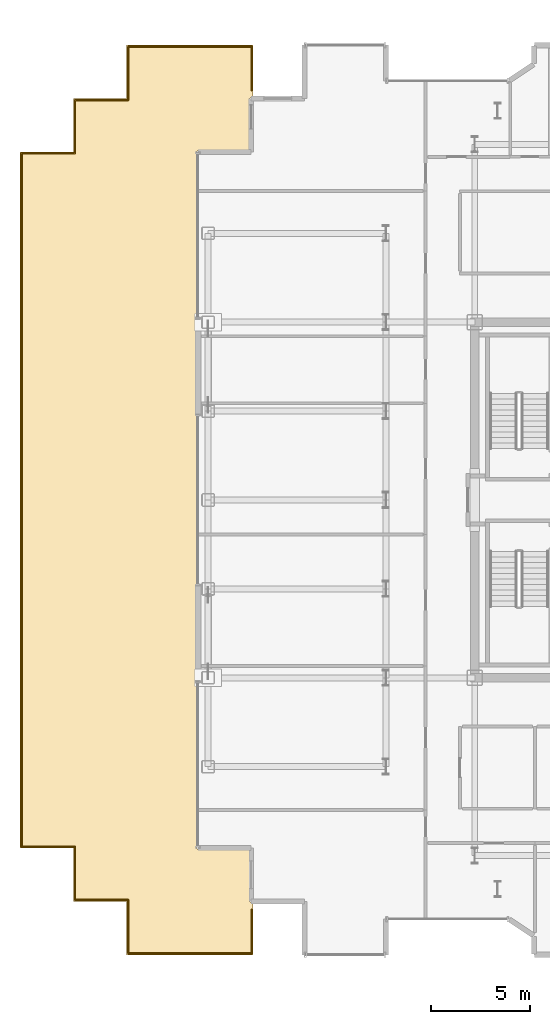
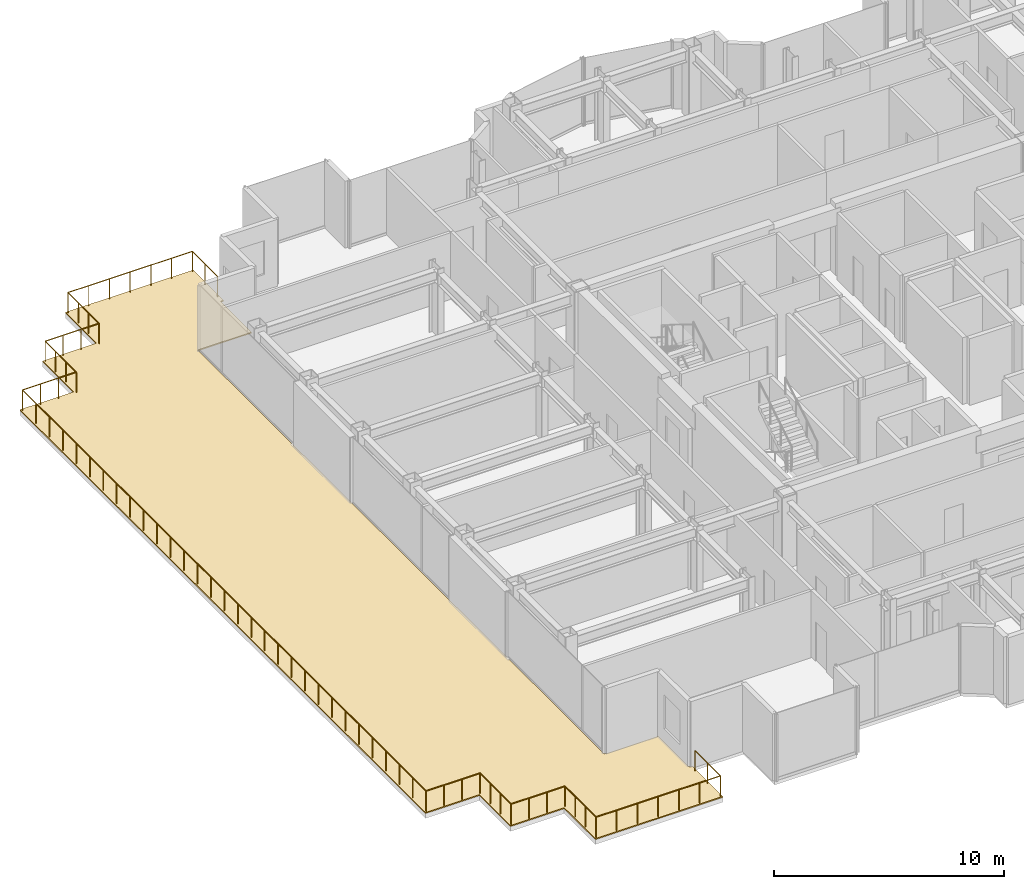
# One storey, part 20 of 21: 2 railings, 1 covering.
"""IFC4 building model written with IfcOpenShell, lengths in metres."""

from ifc_helpers import new_model, si_unit, direction, frame, origin, origin_2d, place, context, subcontext, project, spatial, polyline, circle, outline, extrude, material, layer, layer_set, type_object, element, save


model = new_model("IFC4")

# Units and contexts
model_context = context("Model", 3, precision=1e-05, world=origin(), true_north=direction((0.0, 1.0)))
body_context = subcontext(model_context, "Body", "Model", "MODEL_VIEW")
ifc_project = project(units=[si_unit("LENGTHUNIT", "METRE"), si_unit("AREAUNIT", "SQUARE_METRE"), si_unit("VOLUMEUNIT", "CUBIC_METRE"), si_unit("PLANEANGLEUNIT", "RADIAN"), si_unit("MASSUNIT", "GRAM", prefix="KILO")], contexts=[model_context])

# Site, building, storey
site_placement = place(None, origin())
site = spatial("IfcSite", under=ifc_project, at=site_placement, CompositionType="ELEMENT")
building_placement = place(site_placement, origin())
building = spatial("IfcBuilding", under=site, at=building_placement, Name="Nefas-Gora Pilgrimage Tower", CompositionType="ELEMENT")
storey_placement = place(building_placement, frame((0.0, 0.0, 206.60009765625)))
storey = spatial("IfcBuildingStorey", under=building, at=storey_placement, Name="L51", CompositionType="ELEMENT", Elevation=206.60009765625)

# Covering
ifc_material_1 = material(Name="Elastomeric waterproof insulated roof membrane")
ifc_layer = layer(ifc_material_1, 0.06005859375)
ifc_layer_set = layer_set([ifc_layer], Name="Elastomeric waterproof insulated roof membrane")
covering_type = type_object("IfcCoveringType", Name="COV-ROOF-MEMB", PredefinedType="ROOFING", material=ifc_layer_set)
covering_placement = place(storey_placement, origin())
element("IfcCovering", 1, at=covering_placement, inside=storey, type_object=covering_type, Name="L51 Setback Terrace Waterproofing Membrane 1", PredefinedType="ROOFING", context=body_context, shape_type="SweptSolid", body=[
    extrude(outline(polyline([(-28.8701171875, -23.02001953125), (-22.469970703125, -23.02001953125), (-22.469970703125, -20.3701171875), (-22.570068359375, -20.3701171875), (-22.574951171875, -20.369873046875), (-22.579833984375, -20.368896484375), (-22.58447265625, -20.367919921875), (-22.589111328125, -20.3662109375), (-22.593505859375, -20.364013671875), (-22.597900390625, -20.361572265625), (-22.601806640625, -20.358642578125), (-22.60546875, -20.35546875), (-22.608642578125, -20.351806640625), (-22.611572265625, -20.347900390625), (-22.614013671875, -20.343505859375), (-22.6162109375, -20.339111328125), (-22.617919921875, -20.33447265625), (-22.618896484375, -20.329833984375), (-22.619873046875, -20.324951171875), (-22.6201171875, -20.320068359375), (-22.6201171875, -17.669921875), (-25.27001953125, -17.669921875), (-25.27490234375, -17.669921875), (-25.27978515625, -17.6689453125), (-25.284423828125, -17.667724609375), (-25.2890625, -17.666259765625), (-25.293701171875, -17.6640625), (-25.2978515625, -17.66162109375), (-25.3017578125, -17.65869140625), (-25.305419921875, -17.655517578125), (-25.30859375, -17.651611328125), (-25.3115234375, -17.647705078125), (-25.314208984375, -17.6435546875), (-25.316162109375, -17.63916015625), (-25.31787109375, -17.634521484375), (-25.319091796875, -17.6298828125), (-25.31982421875, -17.625), (-25.320068359375, -17.6201171875), (-25.320068359375, 17.6201171875), (-25.31982421875, 17.625), (-25.319091796875, 17.6298828125), (-25.31787109375, 17.634521484375), (-25.316162109375, 17.63916015625), (-25.314208984375, 17.6435546875), (-25.3115234375, 17.647705078125), (-25.30859375, 17.651611328125), (-25.305419921875, 17.655517578125), (-25.3017578125, 17.65869140625), (-25.2978515625, 17.66162109375), (-25.293701171875, 17.6640625), (-25.2890625, 17.666259765625), (-25.284423828125, 17.667724609375), (-25.27978515625, 17.6689453125), (-25.27490234375, 17.669921875), (-25.27001953125, 17.669921875), (-22.6201171875, 17.669921875), (-22.6201171875, 20.320068359375), (-22.619873046875, 20.324951171875), (-22.618896484375, 20.329833984375), (-22.617919921875, 20.33447265625), (-22.6162109375, 20.339111328125), (-22.614013671875, 20.343505859375), (-22.611572265625, 20.347900390625), (-22.608642578125, 20.351806640625), (-22.60546875, 20.35546875), (-22.601806640625, 20.358642578125), (-22.597900390625, 20.361572265625), (-22.593505859375, 20.364013671875), (-22.589111328125, 20.3662109375), (-22.58447265625, 20.367919921875), (-22.579833984375, 20.368896484375), (-22.574951171875, 20.369873046875), (-22.570068359375, 20.3701171875), (-22.469970703125, 20.3701171875), (-22.469970703125, 23.02001953125), (-28.8701171875, 23.02001953125), (-28.8701171875, 20.320068359375), (-31.570068359375, 20.320068359375), (-31.570068359375, 17.6201171875), (-34.27001953125, 17.6201171875), (-34.27001953125, -17.6201171875), (-31.570068359375, -17.6201171875), (-31.570068359375, -20.320068359375), (-28.8701171875, -20.320068359375), (-28.8701171875, -23.02001953125)])), origin(), (0.0, 0.0, 1.0), 0.059814453125),
])

# Railings
ifc_material_2 = material(Name="Laminated safety glass and stainless steel", Category="steel")
railing_type = type_object("IfcRailingType", Name="RLG-TER-1150", PredefinedType="BALUSTRADE", material=ifc_material_2)
railing_1_placement = place(storey_placement, frame((-28.7900390625, -22.93994140625, 0.0)))
element("IfcRailing", 2, at=railing_1_placement, inside=storey, type_object=railing_type, Name="L51 Terrace Continuous Balustrade TER-L51-1.1", PredefinedType="BALUSTRADE", context=body_context, shape_type="SweptSolid", body=[
    extrude(circle(Radius=0.02392578125, at=origin_2d()), frame((0.0, 0.0, 1.1259765625), z_axis=(0.0, 1.0, 0.0), x_axis=(-1.0, 0.0, 0.0)), (0.0, 0.0, 1.0), 2.699951171875),
    extrude(circle(Radius=0.02392578125, at=origin_2d()), frame((0.0, 2.699951171875, 1.1259765625), z_axis=(-1.0, 0.0, 0.0), x_axis=(0.0, -1.0, 0.0)), (0.0, 0.0, 1.0), 2.699951171875),
    extrude(circle(Radius=0.02392578125, at=origin_2d()), frame((-2.699951171875, 2.699951171875, 1.1259765625), z_axis=(0.0, 1.0, 0.0), x_axis=(-1.0, 0.0, 0.0)), (0.0, 0.0, 1.0), 2.699951171875),
    extrude(circle(Radius=0.02392578125, at=origin_2d()), frame((-2.699951171875, 5.39990234375, 1.1259765625), z_axis=(-1.0, 0.0, 0.0), x_axis=(0.0, -1.0, 0.0)), (0.0, 0.0, 1.0), 2.699951171875),
    extrude(circle(Radius=0.02392578125, at=origin_2d()), frame((-5.39990234375, 5.39990234375, 1.1259765625), z_axis=(0.0, 1.0, 0.0), x_axis=(-1.0, 0.0, 0.0)), (0.0, 0.0, 1.0), 35.080078125),
    extrude(circle(Radius=0.02392578125, at=origin_2d()), frame((-5.39990234375, 40.47998046875, 1.1259765625), z_axis=(1.0, 0.0, 0.0), x_axis=(0.0, 1.0, 0.0)), (0.0, 0.0, 1.0), 2.699951171875),
    extrude(circle(Radius=0.02392578125, at=origin_2d()), frame((-2.699951171875, 40.47998046875, 1.1259765625), z_axis=(0.0, 1.0, 0.0), x_axis=(-1.0, 0.0, 0.0)), (0.0, 0.0, 1.0), 2.699951171875),
    extrude(circle(Radius=0.02392578125, at=origin_2d()), frame((-2.699951171875, 43.179931640625, 1.1259765625), z_axis=(1.0, 0.0, 0.0), x_axis=(0.0, 1.0, 0.0)), (0.0, 0.0, 1.0), 2.699951171875),
    extrude(circle(Radius=0.02392578125, at=origin_2d()), frame((0.0, 43.179931640625, 1.1259765625), z_axis=(0.0, 1.0, 0.0), x_axis=(-1.0, 0.0, 0.0)), (0.0, 0.0, 1.0), 2.699951171875),
    extrude(circle(Radius=0.02392578125, at=origin_2d()), frame((0.0, 45.8798828125, 1.1259765625), z_axis=(1.0, 0.0, 0.0), x_axis=(0.0, 1.0, 0.0)), (0.0, 0.0, 1.0), 6.239990234375),
    extrude(circle(Radius=0.02392578125, at=origin_2d()), frame((6.239990234375, 45.8798828125, 1.1259765625), z_axis=(0.0, -1.0, 0.0), x_axis=(1.0, 0.0, 0.0)), (0.0, 0.0, 1.0), 2.199951171875),
    extrude(circle(Radius=0.02099609375, at=origin_2d()), origin(), (0.0, 0.0, 1.0), 1.101806640625),
    extrude(circle(Radius=0.02099609375, at=origin_2d()), frame((0.0, 0.89990234375, 0.0)), (0.0, 0.0, 1.0), 1.101806640625),
    extrude(circle(Radius=0.02099609375, at=origin_2d()), frame((0.0, 1.800048828125, 0.0)), (0.0, 0.0, 1.0), 1.101806640625),
    extrude(circle(Radius=0.02099609375, at=origin_2d()), frame((0.0, 2.699951171875, 0.0)), (0.0, 0.0, 1.0), 1.101806640625),
    extrude(circle(Radius=0.02099609375, at=origin_2d()), frame((-0.89990234375, 2.699951171875, 0.0)), (0.0, 0.0, 1.0), 1.101806640625),
    extrude(circle(Radius=0.02099609375, at=origin_2d()), frame((-1.800048828125, 2.699951171875, 0.0)), (0.0, 0.0, 1.0), 1.101806640625),
    extrude(circle(Radius=0.02099609375, at=origin_2d()), frame((-2.699951171875, 2.699951171875, 0.0)), (0.0, 0.0, 1.0), 1.101806640625),
    extrude(circle(Radius=0.02099609375, at=origin_2d()), frame((-2.699951171875, 3.599853515625, 0.0)), (0.0, 0.0, 1.0), 1.101806640625),
    extrude(circle(Radius=0.02099609375, at=origin_2d()), frame((-2.699951171875, 4.5, 0.0)), (0.0, 0.0, 1.0), 1.101806640625),
    extrude(circle(Radius=0.02099609375, at=origin_2d()), frame((-2.699951171875, 5.39990234375, 0.0)), (0.0, 0.0, 1.0), 1.101806640625),
    extrude(circle(Radius=0.02099609375, at=origin_2d()), frame((-3.599853515625, 5.39990234375, 0.0)), (0.0, 0.0, 1.0), 1.101806640625),
    extrude(circle(Radius=0.02099609375, at=origin_2d()), frame((-4.5, 5.39990234375, 0.0)), (0.0, 0.0, 1.0), 1.101806640625),
    extrude(circle(Radius=0.02099609375, at=origin_2d()), frame((-5.39990234375, 5.39990234375, 0.0)), (0.0, 0.0, 1.0), 1.101806640625),
    extrude(circle(Radius=0.02099609375, at=origin_2d()), frame((-5.39990234375, 6.5693359375, 0.0)), (0.0, 0.0, 1.0), 1.101806640625),
    extrude(circle(Radius=0.02099609375, at=origin_2d()), frame((-5.39990234375, 7.738525390625, 0.0)), (0.0, 0.0, 1.0), 1.101806640625),
    extrude(circle(Radius=0.02099609375, at=origin_2d()), frame((-5.39990234375, 8.907958984375, 0.0)), (0.0, 0.0, 1.0), 1.101806640625),
    extrude(circle(Radius=0.02099609375, at=origin_2d()), frame((-5.39990234375, 10.0771484375, 0.0)), (0.0, 0.0, 1.0), 1.101806640625),
    extrude(circle(Radius=0.02099609375, at=origin_2d()), frame((-5.39990234375, 11.24658203125, 0.0)), (0.0, 0.0, 1.0), 1.101806640625),
    extrude(circle(Radius=0.02099609375, at=origin_2d()), frame((-5.39990234375, 12.416015625, 0.0)), (0.0, 0.0, 1.0), 1.101806640625),
    extrude(circle(Radius=0.02099609375, at=origin_2d()), frame((-5.39990234375, 13.585205078125, 0.0)), (0.0, 0.0, 1.0), 1.101806640625),
    extrude(circle(Radius=0.02099609375, at=origin_2d()), frame((-5.39990234375, 14.754638671875, 0.0)), (0.0, 0.0, 1.0), 1.101806640625),
    extrude(circle(Radius=0.02099609375, at=origin_2d()), frame((-5.39990234375, 15.923828125, 0.0)), (0.0, 0.0, 1.0), 1.101806640625),
    extrude(circle(Radius=0.02099609375, at=origin_2d()), frame((-5.39990234375, 17.09326171875, 0.0)), (0.0, 0.0, 1.0), 1.101806640625),
    extrude(circle(Radius=0.02099609375, at=origin_2d()), frame((-5.39990234375, 18.2626953125, 0.0)), (0.0, 0.0, 1.0), 1.101806640625),
    extrude(circle(Radius=0.02099609375, at=origin_2d()), frame((-5.39990234375, 19.431884765625, 0.0)), (0.0, 0.0, 1.0), 1.101806640625),
    extrude(circle(Radius=0.02099609375, at=origin_2d()), frame((-5.39990234375, 20.601318359375, 0.0)), (0.0, 0.0, 1.0), 1.101806640625),
    extrude(circle(Radius=0.02099609375, at=origin_2d()), frame((-5.39990234375, 21.7705078125, 0.0)), (0.0, 0.0, 1.0), 1.101806640625),
    extrude(circle(Radius=0.02099609375, at=origin_2d()), frame((-5.39990234375, 22.93994140625, 0.0)), (0.0, 0.0, 1.0), 1.101806640625),
    extrude(circle(Radius=0.02099609375, at=origin_2d()), frame((-5.39990234375, 24.109375, 0.0)), (0.0, 0.0, 1.0), 1.101806640625),
    extrude(circle(Radius=0.02099609375, at=origin_2d()), frame((-5.39990234375, 25.278564453125, 0.0)), (0.0, 0.0, 1.0), 1.101806640625),
    extrude(circle(Radius=0.02099609375, at=origin_2d()), frame((-5.39990234375, 26.447998046875, 0.0)), (0.0, 0.0, 1.0), 1.101806640625),
    extrude(circle(Radius=0.02099609375, at=origin_2d()), frame((-5.39990234375, 27.6171875, 0.0)), (0.0, 0.0, 1.0), 1.101806640625),
    extrude(circle(Radius=0.02099609375, at=origin_2d()), frame((-5.39990234375, 28.78662109375, 0.0)), (0.0, 0.0, 1.0), 1.101806640625),
    extrude(circle(Radius=0.02099609375, at=origin_2d()), frame((-5.39990234375, 29.9560546875, 0.0)), (0.0, 0.0, 1.0), 1.101806640625),
    extrude(circle(Radius=0.02099609375, at=origin_2d()), frame((-5.39990234375, 31.125244140625, 0.0)), (0.0, 0.0, 1.0), 1.101806640625),
    extrude(circle(Radius=0.02099609375, at=origin_2d()), frame((-5.39990234375, 32.294677734375, 0.0)), (0.0, 0.0, 1.0), 1.101806640625),
    extrude(circle(Radius=0.02099609375, at=origin_2d()), frame((-5.39990234375, 33.4638671875, 0.0)), (0.0, 0.0, 1.0), 1.101806640625),
    extrude(circle(Radius=0.02099609375, at=origin_2d()), frame((-5.39990234375, 34.63330078125, 0.0)), (0.0, 0.0, 1.0), 1.101806640625),
    extrude(circle(Radius=0.02099609375, at=origin_2d()), frame((-5.39990234375, 35.802734375, 0.0)), (0.0, 0.0, 1.0), 1.101806640625),
    extrude(circle(Radius=0.02099609375, at=origin_2d()), frame((-5.39990234375, 36.971923828125, 0.0)), (0.0, 0.0, 1.0), 1.101806640625),
    extrude(circle(Radius=0.02099609375, at=origin_2d()), frame((-5.39990234375, 38.141357421875, 0.0)), (0.0, 0.0, 1.0), 1.101806640625),
    extrude(circle(Radius=0.02099609375, at=origin_2d()), frame((-5.39990234375, 39.310546875, 0.0)), (0.0, 0.0, 1.0), 1.101806640625),
    extrude(circle(Radius=0.02099609375, at=origin_2d()), frame((-5.39990234375, 40.47998046875, 0.0)), (0.0, 0.0, 1.0), 1.101806640625),
    extrude(circle(Radius=0.02099609375, at=origin_2d()), frame((-4.5, 40.47998046875, 0.0)), (0.0, 0.0, 1.0), 1.101806640625),
    extrude(circle(Radius=0.02099609375, at=origin_2d()), frame((-3.599853515625, 40.47998046875, 0.0)), (0.0, 0.0, 1.0), 1.101806640625),
    extrude(circle(Radius=0.02099609375, at=origin_2d()), frame((-2.699951171875, 40.47998046875, 0.0)), (0.0, 0.0, 1.0), 1.101806640625),
    extrude(circle(Radius=0.02099609375, at=origin_2d()), frame((-2.699951171875, 41.3798828125, 0.0)), (0.0, 0.0, 1.0), 1.101806640625),
    extrude(circle(Radius=0.02099609375, at=origin_2d()), frame((-2.699951171875, 42.280029296875, 0.0)), (0.0, 0.0, 1.0), 1.101806640625),
    extrude(circle(Radius=0.02099609375, at=origin_2d()), frame((-2.699951171875, 43.179931640625, 0.0)), (0.0, 0.0, 1.0), 1.101806640625),
    extrude(circle(Radius=0.02099609375, at=origin_2d()), frame((-1.800048828125, 43.179931640625, 0.0)), (0.0, 0.0, 1.0), 1.101806640625),
    extrude(circle(Radius=0.02099609375, at=origin_2d()), frame((-0.89990234375, 43.179931640625, 0.0)), (0.0, 0.0, 1.0), 1.101806640625),
    extrude(circle(Radius=0.02099609375, at=origin_2d()), frame((0.0, 43.179931640625, 0.0)), (0.0, 0.0, 1.0), 1.101806640625),
    extrude(circle(Radius=0.02099609375, at=origin_2d()), frame((0.0, 44.079833984375, 0.0)), (0.0, 0.0, 1.0), 1.101806640625),
    extrude(circle(Radius=0.02099609375, at=origin_2d()), frame((0.0, 44.97998046875, 0.0)), (0.0, 0.0, 1.0), 1.101806640625),
    extrude(circle(Radius=0.02099609375, at=origin_2d()), frame((0.0, 45.8798828125, 0.0)), (0.0, 0.0, 1.0), 1.101806640625),
    extrude(circle(Radius=0.02099609375, at=origin_2d()), frame((1.0400390625, 45.8798828125, 0.0)), (0.0, 0.0, 1.0), 1.101806640625),
    extrude(circle(Radius=0.02099609375, at=origin_2d()), frame((2.080078125, 45.8798828125, 0.0)), (0.0, 0.0, 1.0), 1.101806640625),
    extrude(circle(Radius=0.02099609375, at=origin_2d()), frame((3.1201171875, 45.8798828125, 0.0)), (0.0, 0.0, 1.0), 1.101806640625),
    extrude(circle(Radius=0.02099609375, at=origin_2d()), frame((4.159912109375, 45.8798828125, 0.0)), (0.0, 0.0, 1.0), 1.101806640625),
    extrude(circle(Radius=0.02099609375, at=origin_2d()), frame((5.199951171875, 45.8798828125, 0.0)), (0.0, 0.0, 1.0), 1.101806640625),
    extrude(circle(Radius=0.02099609375, at=origin_2d()), frame((6.239990234375, 45.8798828125, 0.0)), (0.0, 0.0, 1.0), 1.101806640625),
    extrude(circle(Radius=0.02099609375, at=origin_2d()), frame((6.239990234375, 44.77978515625, 0.0)), (0.0, 0.0, 1.0), 1.101806640625),
    extrude(circle(Radius=0.02099609375, at=origin_2d()), frame((6.239990234375, 43.679931640625, 0.0)), (0.0, 0.0, 1.0), 1.101806640625),
])
railing_2_placement = place(storey_placement, frame((-22.550048828125, -20.739990234375, 0.0)))
element("IfcRailing", 3, at=railing_2_placement, inside=storey, type_object=railing_type, Name="L51 Terrace Continuous Balustrade TER-L51-1.2", PredefinedType="BALUSTRADE", context=body_context, shape_type="SweptSolid", body=[
    extrude(circle(Radius=0.02392578125, at=origin_2d()), frame((0.0, 0.0, 1.1259765625), z_axis=(0.0, -1.0, 0.0), x_axis=(1.0, 0.0, 0.0)), (0.0, 0.0, 1.0), 2.199951171875),
    extrude(circle(Radius=0.02392578125, at=origin_2d()), frame((0.0, -2.199951171875, 1.1259765625), z_axis=(-1.0, 0.0, 0.0), x_axis=(0.0, -1.0, 0.0)), (0.0, 0.0, 1.0), 6.239990234375),
    extrude(circle(Radius=0.02099609375, at=origin_2d()), origin(), (0.0, 0.0, 1.0), 1.101806640625),
    extrude(circle(Radius=0.02099609375, at=origin_2d()), frame((0.0, -1.10009765625, 0.0)), (0.0, 0.0, 1.0), 1.101806640625),
    extrude(circle(Radius=0.02099609375, at=origin_2d()), frame((0.0, -2.199951171875, 0.0)), (0.0, 0.0, 1.0), 1.101806640625),
    extrude(circle(Radius=0.02099609375, at=origin_2d()), frame((-1.0400390625, -2.199951171875, 0.0)), (0.0, 0.0, 1.0), 1.101806640625),
    extrude(circle(Radius=0.02099609375, at=origin_2d()), frame((-2.080078125, -2.199951171875, 0.0)), (0.0, 0.0, 1.0), 1.101806640625),
    extrude(circle(Radius=0.02099609375, at=origin_2d()), frame((-3.1201171875, -2.199951171875, 0.0)), (0.0, 0.0, 1.0), 1.101806640625),
    extrude(circle(Radius=0.02099609375, at=origin_2d()), frame((-4.159912109375, -2.199951171875, 0.0)), (0.0, 0.0, 1.0), 1.101806640625),
    extrude(circle(Radius=0.02099609375, at=origin_2d()), frame((-5.199951171875, -2.199951171875, 0.0)), (0.0, 0.0, 1.0), 1.101806640625),
    extrude(circle(Radius=0.02099609375, at=origin_2d()), frame((-6.239990234375, -2.199951171875, 0.0)), (0.0, 0.0, 1.0), 1.101806640625),
])

save(model, "model.ifc")
